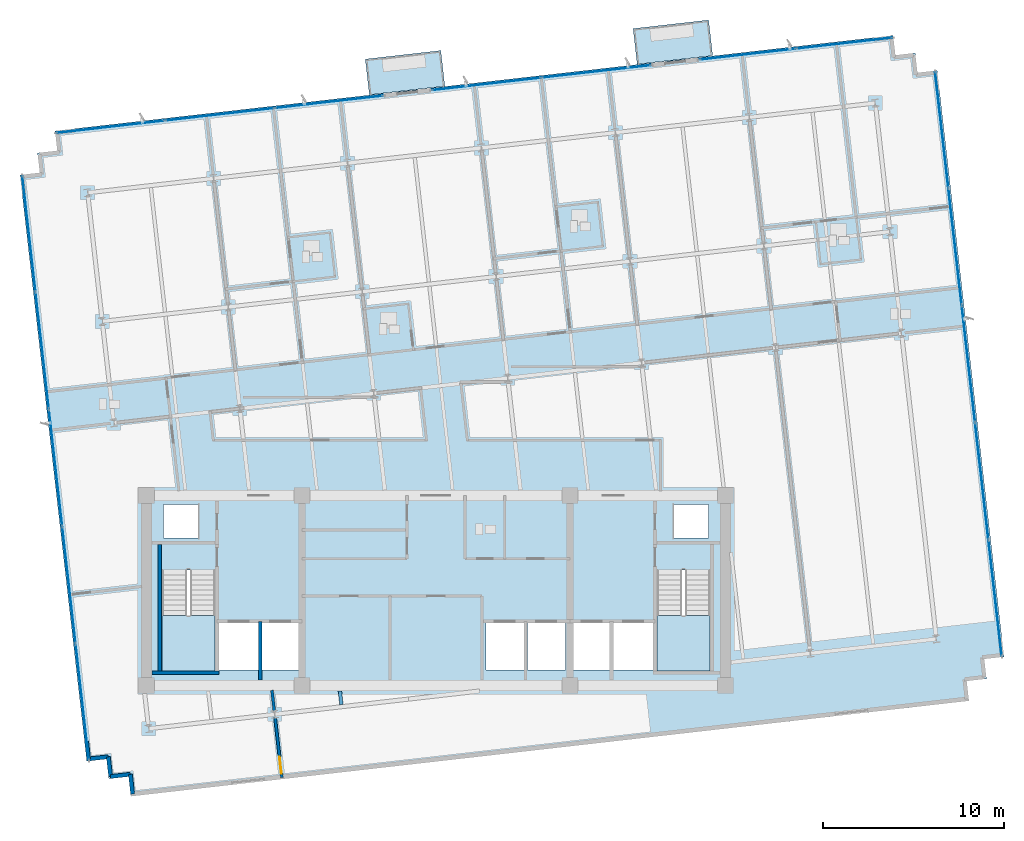
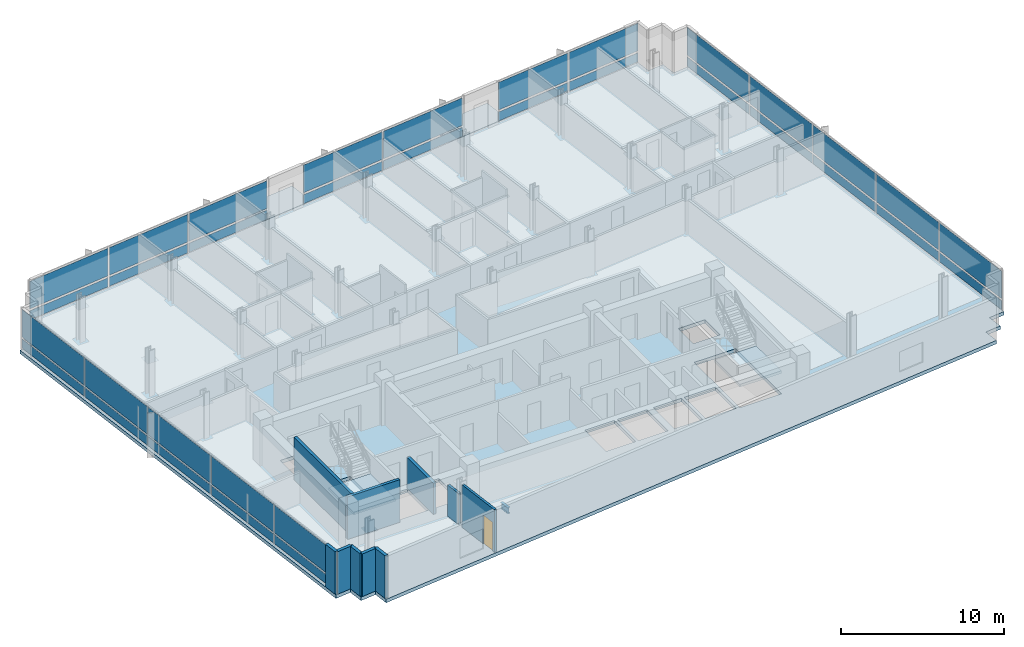
# One storey, part 7 of 16: 34 plates, 10 walls, 5 slabs, 1 beam, 1 door, 1 opening, 7 elements without a shape of their own.
"""IFC4 building model written with IfcOpenShell, lengths in metres."""

from ifc_helpers import new_model, si_unit, direction, frame, frame_2d, origin, origin_2d, place, context, subcontext, project, spatial, polyline, rectangle, i_section, outline, extrude, material, layer, layer_set, material_profile, profile_set, type_object, element, fill, aggregate, save


model = new_model("IFC4")

# Units and contexts
model_context = context("Model", 3, precision=1e-05, world=origin(), true_north=direction((0.0, 1.0)))
body_context = subcontext(model_context, "Body", "Model", "MODEL_VIEW")
ifc_project = project(units=[si_unit("LENGTHUNIT", "METRE"), si_unit("AREAUNIT", "SQUARE_METRE"), si_unit("VOLUMEUNIT", "CUBIC_METRE"), si_unit("PLANEANGLEUNIT", "RADIAN"), si_unit("MASSUNIT", "GRAM", prefix="KILO")], contexts=[model_context])

# Site, building, storey
site_placement = place(None, origin())
site = spatial("IfcSite", under=ifc_project, at=site_placement, CompositionType="ELEMENT")
building_placement = place(site_placement, origin())
building = spatial("IfcBuilding", under=site, at=building_placement, Name="Solmavex Isthmus Hotel", CompositionType="ELEMENT")
storey_placement = place(building_placement, frame((0.0, 0.0, 212.39990234375)))
storey = spatial("IfcBuildingStorey", under=building, at=storey_placement, Name="L57", CompositionType="ELEMENT", Elevation=212.39990234375)

# Beam
ifc_material_1 = material(Name="Steel ASTM A992 Grade 50", Category="steel")
ifc_material_profile = material_profile(ifc_material_1, i_section(OverallWidth=0.1904296875, OverallDepth=0.456787109375, WebThickness=0.009033203125, FlangeThickness=0.014404296875, FilletRadius=0.0126953125, at=origin_2d()), Name="W18X50")
ifc_profile_set = profile_set([ifc_material_profile], Name="Steel ASTM A992 Grade 50")
beam_type = type_object("IfcBeamType", Name="BM-BJ-W18X50", PredefinedType="JOIST", material=ifc_profile_set)
beam_placement = place(storey_placement, frame((-5.2236328125, -14.05419921875, -0.48828125), z_axis=(-0.112902470797, 0.993606074905, 0.0), x_axis=(-0.993606074905, -0.112902470797, 0.0)))
element("IfcBeam", 1, at=beam_placement, inside=storey, type_object=beam_type, Name="Secondary Floor Joist L57-J05", PredefinedType="JOIST", context=body_context, shape_type="SweptSolid", body=[
    extrude(i_section(OverallWidth=0.1904296875, OverallDepth=0.456787109375, WebThickness=0.009033203125, FlangeThickness=0.014404296875, FilletRadius=0.0126953125, at=origin_2d()), origin(), (0.0, 0.0, 1.0), 0.759033203125),
])

# Curtain wall, plates
ifc_material_2 = material(Name="Aluminium alloy 6063-T6", Category="aluminium")
curtain_wall_type = type_object("IfcCurtainWallType", Name="CW-SYS-04", PredefinedType="NOTDEFINED", material=ifc_material_2)
curtain_wall_1_placement = place(storey_placement, origin())
curtain_wall_1 = element("IfcCurtainWall", 2, at=curtain_wall_1_placement, inside=storey, type_object=curtain_wall_type, Name="Stick Curtain Wall CWL-L57-N1", PredefinedType="NOTDEFINED")
ifc_material_3 = material(Name="Clear low-E laminated glass", Category="glass")
ifc_layer_1 = layer(ifc_material_3, 0.033935546875)
ifc_layer_set_1 = layer_set([ifc_layer_1], Name="Clear low-E laminated glass")
plate_type = type_object("IfcPlateType", Name="CW-SYS-04-PNL", PredefinedType="CURTAIN_PANEL", material=ifc_layer_set_1)
plate_1_placement = place(storey_placement, frame((-17.985595703125, 17.87109375, 0.14990234375), z_axis=(0.0, 0.0, 1.0), x_axis=(0.993571885329, 0.113202953513, 0.0)))
plate_1 = element("IfcPlate", 3, at=plate_1_placement, type_object=plate_type, Name="CW-04 panel 1.1", PredefinedType="CURTAIN_PANEL", context=body_context, shape_type="SweptSolid", body=[
    extrude(rectangle(XDim=5.979736328125, YDim=0.033935546875, at=origin_2d()), origin(), (0.0, 0.0, 1.0), 0.675048828125),
])
plate_2_placement = place(storey_placement, frame((-17.985595703125, 17.87109375, 0.97509765625), z_axis=(0.0, 0.0, 1.0), x_axis=(0.993571885329, 0.113202953513, 0.0)))
plate_2 = element("IfcPlate", 4, at=plate_2_placement, type_object=plate_type, Name="CW-04 panel 1.2", PredefinedType="CURTAIN_PANEL", context=body_context, shape_type="SweptSolid", body=[
    extrude(rectangle(XDim=5.979736328125, YDim=0.033935546875, at=origin_2d()), origin(), (0.0, 0.0, 1.0), 2.06494140625),
])
plate_3_placement = place(storey_placement, frame((-11.951171875, 18.558837890625, 0.14990234375), z_axis=(0.0, 0.0, 1.0), x_axis=(0.993571885329, 0.113202953513, 0.0)))
plate_3 = element("IfcPlate", 5, at=plate_3_placement, type_object=plate_type, Name="CW-04 panel 2.1", PredefinedType="CURTAIN_PANEL", context=body_context, shape_type="SweptSolid", body=[
    extrude(rectangle(XDim=6.017333984375, YDim=0.033935546875, at=origin_2d()), origin(), (0.0, 0.0, 1.0), 0.675048828125),
])
plate_4_placement = place(storey_placement, frame((-11.951171875, 18.558837890625, 0.97509765625), z_axis=(0.0, 0.0, 1.0), x_axis=(0.993571885329, 0.113202953513, 0.0)))
plate_4 = element("IfcPlate", 6, at=plate_4_placement, type_object=plate_type, Name="CW-04 panel 2.2", PredefinedType="CURTAIN_PANEL", context=body_context, shape_type="SweptSolid", body=[
    extrude(rectangle(XDim=6.017333984375, YDim=0.033935546875, at=origin_2d()), origin(), (0.0, 0.0, 1.0), 2.06494140625),
])
plate_5_placement = place(storey_placement, frame((-5.91650390625, 19.246337890625, 0.14990234375), z_axis=(0.0, 0.0, 1.0), x_axis=(0.993571885329, 0.113202953513, 0.0)))
plate_5 = element("IfcPlate", 7, at=plate_5_placement, type_object=plate_type, Name="CW-04 panel 3.1", PredefinedType="CURTAIN_PANEL", context=body_context, shape_type="SweptSolid", body=[
    extrude(rectangle(XDim=5.979736328125, YDim=0.033935546875, at=origin_2d()), origin(), (0.0, 0.0, 1.0), 0.675048828125),
])
plate_6_placement = place(storey_placement, frame((-5.91650390625, 19.246337890625, 0.97509765625), z_axis=(0.0, 0.0, 1.0), x_axis=(0.993571885329, 0.113202953513, 0.0)))
plate_6 = element("IfcPlate", 8, at=plate_6_placement, type_object=plate_type, Name="CW-04 panel 3.2", PredefinedType="CURTAIN_PANEL", context=body_context, shape_type="SweptSolid", body=[
    extrude(rectangle(XDim=5.979736328125, YDim=0.033935546875, at=origin_2d()), origin(), (0.0, 0.0, 1.0), 2.06494140625),
])
aggregate(curtain_wall_1, [plate_1, plate_2, plate_3, plate_4, plate_5, plate_6])

curtain_wall_2_placement = place(storey_placement, origin())
curtain_wall_2 = element("IfcCurtainWall", 9, at=curtain_wall_2_placement, inside=storey, type_object=curtain_wall_type, Name="Stick Curtain Wall CWL-L57-N2", PredefinedType="NOTDEFINED")
plate_7_placement = place(storey_placement, frame((2.78369140625, 20.237548828125, 0.14990234375), z_axis=(0.0, 0.0, 1.0), x_axis=(0.993571896348, 0.113202856801, 0.0)))
plate_7 = element("IfcPlate", 10, at=plate_7_placement, type_object=plate_type, Name="CW-04 panel 1.1", PredefinedType="CURTAIN_PANEL", context=body_context, shape_type="SweptSolid", body=[
    extrude(rectangle(XDim=6.033447265625, YDim=0.033935546875, at=origin_2d()), origin(), (0.0, 0.0, 1.0), 0.675048828125),
])
plate_8_placement = place(storey_placement, frame((2.78369140625, 20.237548828125, 0.97509765625), z_axis=(0.0, 0.0, 1.0), x_axis=(0.993571896348, 0.113202856801, 0.0)))
plate_8 = element("IfcPlate", 11, at=plate_8_placement, type_object=plate_type, Name="CW-04 panel 1.2", PredefinedType="CURTAIN_PANEL", context=body_context, shape_type="SweptSolid", body=[
    extrude(rectangle(XDim=6.033447265625, YDim=0.033935546875, at=origin_2d()), origin(), (0.0, 0.0, 1.0), 2.06494140625),
])
plate_9_placement = place(storey_placement, frame((8.85302734375, 20.928955078125, 0.14990234375), z_axis=(0.0, 0.0, 1.0), x_axis=(0.993571896348, 0.113202856801, 0.0)))
plate_9 = element("IfcPlate", 12, at=plate_9_placement, type_object=plate_type, Name="CW-04 panel 2.1", PredefinedType="CURTAIN_PANEL", context=body_context, shape_type="SweptSolid", body=[
    extrude(rectangle(XDim=6.033447265625, YDim=0.033935546875, at=origin_2d()), origin(), (0.0, 0.0, 1.0), 0.675048828125),
])
plate_10_placement = place(storey_placement, frame((8.85302734375, 20.928955078125, 0.97509765625), z_axis=(0.0, 0.0, 1.0), x_axis=(0.993571896348, 0.113202856801, 0.0)))
plate_10 = element("IfcPlate", 13, at=plate_10_placement, type_object=plate_type, Name="CW-04 panel 2.2", PredefinedType="CURTAIN_PANEL", context=body_context, shape_type="SweptSolid", body=[
    extrude(rectangle(XDim=6.033447265625, YDim=0.033935546875, at=origin_2d()), origin(), (0.0, 0.0, 1.0), 2.06494140625),
])
aggregate(curtain_wall_2, [plate_7, plate_8, plate_9, plate_10])

curtain_wall_3_placement = place(storey_placement, origin())
curtain_wall_3 = element("IfcCurtainWall", 14, at=curtain_wall_3_placement, inside=storey, type_object=curtain_wall_type, Name="Stick Curtain Wall CWL-L57-N3", PredefinedType="NOTDEFINED")
plate_11_placement = place(storey_placement, frame((17.217041015625, 21.882080078125, 0.14990234375), z_axis=(0.0, 0.0, 1.0), x_axis=(0.993571797279, 0.113203726319, 0.0)))
plate_11 = element("IfcPlate", 15, at=plate_11_placement, type_object=plate_type, Name="CW-04 panel 1.1", PredefinedType="CURTAIN_PANEL", context=body_context, shape_type="SweptSolid", body=[
    extrude(rectangle(XDim=5.302978515625, YDim=0.033935546875, at=origin_2d()), origin(), (0.0, 0.0, 1.0), 0.675048828125),
])
plate_12_placement = place(storey_placement, frame((17.217041015625, 21.882080078125, 0.97509765625), z_axis=(0.0, 0.0, 1.0), x_axis=(0.993571797279, 0.113203726319, 0.0)))
plate_12 = element("IfcPlate", 16, at=plate_12_placement, type_object=plate_type, Name="CW-04 panel 1.2", PredefinedType="CURTAIN_PANEL", context=body_context, shape_type="SweptSolid", body=[
    extrude(rectangle(XDim=5.302978515625, YDim=0.033935546875, at=origin_2d()), origin(), (0.0, 0.0, 1.0), 2.06494140625),
])
plate_13_placement = place(storey_placement, frame((22.560546875, 22.49072265625, 0.14990234375), z_axis=(0.0, 0.0, 1.0), x_axis=(0.993571797279, 0.113203726319, 0.0)))
plate_13 = element("IfcPlate", 17, at=plate_13_placement, type_object=plate_type, Name="CW-04 panel 2.1", PredefinedType="CURTAIN_PANEL", context=body_context, shape_type="SweptSolid", body=[
    extrude(rectangle(XDim=5.302978515625, YDim=0.033935546875, at=origin_2d()), origin(), (0.0, 0.0, 1.0), 0.675048828125),
])
plate_14_placement = place(storey_placement, frame((22.560546875, 22.49072265625, 0.97509765625), z_axis=(0.0, 0.0, 1.0), x_axis=(0.993571797279, 0.113203726319, 0.0)))
plate_14 = element("IfcPlate", 18, at=plate_14_placement, type_object=plate_type, Name="CW-04 panel 2.2", PredefinedType="CURTAIN_PANEL", context=body_context, shape_type="SweptSolid", body=[
    extrude(rectangle(XDim=5.302978515625, YDim=0.033935546875, at=origin_2d()), origin(), (0.0, 0.0, 1.0), 2.06494140625),
])
aggregate(curtain_wall_3, [plate_11, plate_12, plate_13, plate_14])

curtain_wall_4_placement = place(storey_placement, origin())
curtain_wall_4 = element("IfcCurtainWall", 19, at=curtain_wall_4_placement, inside=storey, type_object=curtain_wall_type, Name="Stick Curtain Wall CWL-L57-W1", PredefinedType="NOTDEFINED")
plate_15_placement = place(storey_placement, frame((-19.542724609375, -13.91064453125, 0.14990234375), z_axis=(0.0, 0.0, 1.0), x_axis=(-0.11320338078, 0.993571836648, 0.0)))
plate_15 = element("IfcPlate", 20, at=plate_15_placement, type_object=plate_type, Name="CW-04 panel 1.1", PredefinedType="CURTAIN_PANEL", context=body_context, shape_type="SweptSolid", body=[
    extrude(rectangle(XDim=6.407470703125, YDim=0.033935546875, at=origin_2d()), origin(), (0.0, 0.0, 1.0), 0.675048828125),
])
plate_16_placement = place(storey_placement, frame((-19.542724609375, -13.91064453125, 0.97509765625), z_axis=(0.0, 0.0, 1.0), x_axis=(-0.11320338078, 0.993571836648, 0.0)))
plate_16 = element("IfcPlate", 21, at=plate_16_placement, type_object=plate_type, Name="CW-04 panel 1.2", PredefinedType="CURTAIN_PANEL", context=body_context, shape_type="SweptSolid", body=[
    extrude(rectangle(XDim=6.407470703125, YDim=0.033935546875, at=origin_2d()), origin(), (0.0, 0.0, 1.0), 2.06494140625),
])
plate_17_placement = place(storey_placement, frame((-20.27880859375, -7.451171875, 0.14990234375), z_axis=(0.0, 0.0, 1.0), x_axis=(-0.11320338078, 0.993571836648, 0.0)))
plate_17 = element("IfcPlate", 22, at=plate_17_placement, type_object=plate_type, Name="CW-04 panel 2.1", PredefinedType="CURTAIN_PANEL", context=body_context, shape_type="SweptSolid", body=[
    extrude(rectangle(XDim=6.445068359375, YDim=0.033935546875, at=origin_2d()), origin(), (0.0, 0.0, 1.0), 0.675048828125),
])
plate_18_placement = place(storey_placement, frame((-20.27880859375, -7.451171875, 0.97509765625), z_axis=(0.0, 0.0, 1.0), x_axis=(-0.11320338078, 0.993571836648, 0.0)))
plate_18 = element("IfcPlate", 23, at=plate_18_placement, type_object=plate_type, Name="CW-04 panel 2.2", PredefinedType="CURTAIN_PANEL", context=body_context, shape_type="SweptSolid", body=[
    extrude(rectangle(XDim=6.445068359375, YDim=0.033935546875, at=origin_2d()), origin(), (0.0, 0.0, 1.0), 2.06494140625),
])
plate_19_placement = place(storey_placement, frame((-21.016845703125, -0.97314453125, 0.14990234375), z_axis=(0.0, 0.0, 1.0), x_axis=(-0.11320338078, 0.993571836648, 0.0)))
plate_19 = element("IfcPlate", 24, at=plate_19_placement, type_object=plate_type, Name="CW-04 panel 3.1", PredefinedType="CURTAIN_PANEL", context=body_context, shape_type="SweptSolid", body=[
    extrude(rectangle(XDim=6.445068359375, YDim=0.033935546875, at=origin_2d()), origin(), (0.0, 0.0, 1.0), 0.675048828125),
])
plate_20_placement = place(storey_placement, frame((-21.016845703125, -0.97314453125, 0.97509765625), z_axis=(0.0, 0.0, 1.0), x_axis=(-0.11320338078, 0.993571836648, 0.0)))
plate_20 = element("IfcPlate", 25, at=plate_20_placement, type_object=plate_type, Name="CW-04 panel 3.2", PredefinedType="CURTAIN_PANEL", context=body_context, shape_type="SweptSolid", body=[
    extrude(rectangle(XDim=6.445068359375, YDim=0.033935546875, at=origin_2d()), origin(), (0.0, 0.0, 1.0), 2.06494140625),
])
plate_21_placement = place(storey_placement, frame((-21.7548828125, 5.5048828125, 0.14990234375), z_axis=(0.0, 0.0, 1.0), x_axis=(-0.11320338078, 0.993571836648, 0.0)))
plate_21 = element("IfcPlate", 26, at=plate_21_placement, type_object=plate_type, Name="CW-04 panel 4.1", PredefinedType="CURTAIN_PANEL", context=body_context, shape_type="SweptSolid", body=[
    extrude(rectangle(XDim=6.445068359375, YDim=0.033935546875, at=origin_2d()), origin(), (0.0, 0.0, 1.0), 0.675048828125),
])
plate_22_placement = place(storey_placement, frame((-21.7548828125, 5.5048828125, 0.97509765625), z_axis=(0.0, 0.0, 1.0), x_axis=(-0.11320338078, 0.993571836648, 0.0)))
plate_22 = element("IfcPlate", 27, at=plate_22_placement, type_object=plate_type, Name="CW-04 panel 4.2", PredefinedType="CURTAIN_PANEL", context=body_context, shape_type="SweptSolid", body=[
    extrude(rectangle(XDim=6.445068359375, YDim=0.033935546875, at=origin_2d()), origin(), (0.0, 0.0, 1.0), 2.06494140625),
])
plate_23_placement = place(storey_placement, frame((-22.490966796875, 11.96435546875, 0.14990234375), z_axis=(0.0, 0.0, 1.0), x_axis=(-0.11320338078, 0.993571836648, 0.0)))
plate_23 = element("IfcPlate", 28, at=plate_23_placement, type_object=plate_type, Name="CW-04 panel 5.1", PredefinedType="CURTAIN_PANEL", context=body_context, shape_type="SweptSolid", body=[
    extrude(rectangle(XDim=6.407470703125, YDim=0.033935546875, at=origin_2d()), origin(), (0.0, 0.0, 1.0), 0.675048828125),
])
plate_24_placement = place(storey_placement, frame((-22.490966796875, 11.96435546875, 0.97509765625), z_axis=(0.0, 0.0, 1.0), x_axis=(-0.11320338078, 0.993571836648, 0.0)))
plate_24 = element("IfcPlate", 29, at=plate_24_placement, type_object=plate_type, Name="CW-04 panel 5.2", PredefinedType="CURTAIN_PANEL", context=body_context, shape_type="SweptSolid", body=[
    extrude(rectangle(XDim=6.407470703125, YDim=0.033935546875, at=origin_2d()), origin(), (0.0, 0.0, 1.0), 2.06494140625),
])
aggregate(curtain_wall_4, [plate_15, plate_16, plate_17, plate_18, plate_19, plate_20, plate_21, plate_22, plate_23, plate_24])

curtain_wall_5_placement = place(storey_placement, origin())
curtain_wall_5 = element("IfcCurtainWall", 30, at=curtain_wall_5_placement, inside=storey, type_object=curtain_wall_type, Name="Stick Curtain Wall CWL-L57-E1", PredefinedType="NOTDEFINED")
plate_25_placement = place(storey_placement, frame((30.890869140625, -8.16455078125, 0.14990234375), z_axis=(0.0, 0.0, 1.0), x_axis=(-0.11320338078, 0.993571836648, 0.0)))
plate_25 = element("IfcPlate", 31, at=plate_25_placement, type_object=plate_type, Name="CW-04 panel 1.1", PredefinedType="CURTAIN_PANEL", context=body_context, shape_type="SweptSolid", body=[
    extrude(rectangle(XDim=6.407470703125, YDim=0.033935546875, at=origin_2d()), origin(), (0.0, 0.0, 1.0), 0.675048828125),
])
plate_26_placement = place(storey_placement, frame((30.890869140625, -8.16455078125, 0.97509765625), z_axis=(0.0, 0.0, 1.0), x_axis=(-0.11320338078, 0.993571836648, 0.0)))
plate_26 = element("IfcPlate", 32, at=plate_26_placement, type_object=plate_type, Name="CW-04 panel 1.2", PredefinedType="CURTAIN_PANEL", context=body_context, shape_type="SweptSolid", body=[
    extrude(rectangle(XDim=6.407470703125, YDim=0.033935546875, at=origin_2d()), origin(), (0.0, 0.0, 1.0), 2.06494140625),
])
plate_27_placement = place(storey_placement, frame((30.155029296875, -1.705078125, 0.14990234375), z_axis=(0.0, 0.0, 1.0), x_axis=(-0.11320338078, 0.993571836648, 0.0)))
plate_27 = element("IfcPlate", 33, at=plate_27_placement, type_object=plate_type, Name="CW-04 panel 2.1", PredefinedType="CURTAIN_PANEL", context=body_context, shape_type="SweptSolid", body=[
    extrude(rectangle(XDim=6.445068359375, YDim=0.033935546875, at=origin_2d()), origin(), (0.0, 0.0, 1.0), 0.675048828125),
])
plate_28_placement = place(storey_placement, frame((30.155029296875, -1.705078125, 0.97509765625), z_axis=(0.0, 0.0, 1.0), x_axis=(-0.11320338078, 0.993571836648, 0.0)))
plate_28 = element("IfcPlate", 34, at=plate_28_placement, type_object=plate_type, Name="CW-04 panel 2.2", PredefinedType="CURTAIN_PANEL", context=body_context, shape_type="SweptSolid", body=[
    extrude(rectangle(XDim=6.445068359375, YDim=0.033935546875, at=origin_2d()), origin(), (0.0, 0.0, 1.0), 2.06494140625),
])
plate_29_placement = place(storey_placement, frame((29.416748046875, 4.773193359375, 0.14990234375), z_axis=(0.0, 0.0, 1.0), x_axis=(-0.11320338078, 0.993571836648, 0.0)))
plate_29 = element("IfcPlate", 35, at=plate_29_placement, type_object=plate_type, Name="CW-04 panel 3.1", PredefinedType="CURTAIN_PANEL", context=body_context, shape_type="SweptSolid", body=[
    extrude(rectangle(XDim=6.445068359375, YDim=0.033935546875, at=origin_2d()), origin(), (0.0, 0.0, 1.0), 0.675048828125),
])
plate_30_placement = place(storey_placement, frame((29.416748046875, 4.773193359375, 0.97509765625), z_axis=(0.0, 0.0, 1.0), x_axis=(-0.11320338078, 0.993571836648, 0.0)))
plate_30 = element("IfcPlate", 36, at=plate_30_placement, type_object=plate_type, Name="CW-04 panel 3.2", PredefinedType="CURTAIN_PANEL", context=body_context, shape_type="SweptSolid", body=[
    extrude(rectangle(XDim=6.445068359375, YDim=0.033935546875, at=origin_2d()), origin(), (0.0, 0.0, 1.0), 2.06494140625),
])
plate_31_placement = place(storey_placement, frame((28.6787109375, 11.251220703125, 0.14990234375), z_axis=(0.0, 0.0, 1.0), x_axis=(-0.11320338078, 0.993571836648, 0.0)))
plate_31 = element("IfcPlate", 37, at=plate_31_placement, type_object=plate_type, Name="CW-04 panel 4.1", PredefinedType="CURTAIN_PANEL", context=body_context, shape_type="SweptSolid", body=[
    extrude(rectangle(XDim=6.445068359375, YDim=0.033935546875, at=origin_2d()), origin(), (0.0, 0.0, 1.0), 0.675048828125),
])
plate_32_placement = place(storey_placement, frame((28.6787109375, 11.251220703125, 0.97509765625), z_axis=(0.0, 0.0, 1.0), x_axis=(-0.11320338078, 0.993571836648, 0.0)))
plate_32 = element("IfcPlate", 38, at=plate_32_placement, type_object=plate_type, Name="CW-04 panel 4.2", PredefinedType="CURTAIN_PANEL", context=body_context, shape_type="SweptSolid", body=[
    extrude(rectangle(XDim=6.445068359375, YDim=0.033935546875, at=origin_2d()), origin(), (0.0, 0.0, 1.0), 2.06494140625),
])
plate_33_placement = place(storey_placement, frame((27.94287109375, 17.710693359375, 0.14990234375), z_axis=(0.0, 0.0, 1.0), x_axis=(-0.11320338078, 0.993571836648, 0.0)))
plate_33 = element("IfcPlate", 39, at=plate_33_placement, type_object=plate_type, Name="CW-04 panel 5.1", PredefinedType="CURTAIN_PANEL", context=body_context, shape_type="SweptSolid", body=[
    extrude(rectangle(XDim=6.407470703125, YDim=0.033935546875, at=origin_2d()), origin(), (0.0, 0.0, 1.0), 0.675048828125),
])
plate_34_placement = place(storey_placement, frame((27.94287109375, 17.710693359375, 0.97509765625), z_axis=(0.0, 0.0, 1.0), x_axis=(-0.11320338078, 0.993571836648, 0.0)))
plate_34 = element("IfcPlate", 40, at=plate_34_placement, type_object=plate_type, Name="CW-04 panel 5.2", PredefinedType="CURTAIN_PANEL", context=body_context, shape_type="SweptSolid", body=[
    extrude(rectangle(XDim=6.407470703125, YDim=0.033935546875, at=origin_2d()), origin(), (0.0, 0.0, 1.0), 2.06494140625),
])
aggregate(curtain_wall_5, [plate_25, plate_26, plate_27, plate_28, plate_29, plate_30, plate_31, plate_32, plate_33, plate_34])

# Slabs
ifc_material_4 = material(Name="Concrete C40/50", Category="concrete")
ifc_layer_2 = layer(ifc_material_4, 0.239990234375)
ifc_layer_set_2 = layer_set([ifc_layer_2], Name="Concrete C40/50")
slab_type_1 = type_object("IfcSlabType", Name="SLAB-BALC-240", PredefinedType="FLOOR", material=ifc_layer_set_2)
slab_1_placement = place(storey_placement, frame((0.0, 0.0, -0.239990234375)))
element("IfcSlab", 41, at=slab_1_placement, inside=storey, type_object=slab_type_1, Name="Tree-Planter Balcony Slab L57-B1", PredefinedType="FLOOR", context=body_context, shape_type="SweptSolid", body=[
    extrude(outline(polyline([(-3.681640625, 19.63671875), (0.491455078125, 20.1123046875), (0.266845703125, 22.08447265625), (-3.90625, 21.609130859375), (-3.681640625, 19.63671875)])), origin(), (0.0, 0.0, 1.0), 0.239990234375),
])
slab_2_placement = place(storey_placement, frame((0.0, 0.0, -0.239990234375)))
element("IfcSlab", 42, at=slab_2_placement, inside=storey, type_object=slab_type_1, Name="Tree-Planter Balcony Slab L57-B2", PredefinedType="FLOOR", context=body_context, shape_type="SweptSolid", body=[
    extrude(outline(polyline([(11.11474609375, 21.322509765625), (15.287841796875, 21.798095703125), (15.06298828125, 23.770263671875), (10.89013671875, 23.294921875), (11.11474609375, 21.322509765625)])), origin(), (0.0, 0.0, 1.0), 0.239990234375),
])
ifc_layer_3 = layer(ifc_material_4, 0.260009765625)
ifc_layer_set_3 = layer_set([ifc_layer_3], Name="Concrete C40/50")
slab_type_2 = type_object("IfcSlabType", Name="SLAB-TYP-260", PredefinedType="FLOOR", material=ifc_layer_set_3)
slab_3_placement = place(storey_placement, frame((0.0, 0.0, -0.260009765625)))
element("IfcSlab", 43, at=slab_3_placement, inside=storey, type_object=slab_type_2, Name="Tower Structural Floor Slab L57", PredefinedType="FLOOR", context=body_context, shape_type="SweptSolid", body=[
    extrude(outline(polyline([(-15.762939453125, -18.994140625), (28.3515625, -13.968017578125), (29.444580078125, -13.843505859375), (29.320068359375, -12.75048828125), (30.412841796875, -12.6259765625), (30.288330078125, -11.532958984375), (31.38134765625, -11.408447265625), (31.2568359375, -10.315673828125), (27.8154296875, 19.888916015625), (27.69091796875, 20.98193359375), (26.597900390625, 20.857421875), (26.473388671875, 21.9501953125), (25.38037109375, 21.82568359375), (25.255859375, 22.918701171875), (24.1630859375, 22.794189453125), (-19.95166015625, 17.76806640625), (-21.04443359375, 17.6435546875), (-20.919921875, 16.550537109375), (-22.012939453125, 16.426025390625), (-21.888427734375, 15.3330078125), (-22.981201171875, 15.20849609375), (-22.856689453125, 14.11572265625), (-19.415283203125, -16.0888671875), (-19.290771484375, -17.181884765625), (-18.197998046875, -17.057373046875), (-18.073486328125, -18.150390625), (-16.98046875, -18.02587890625), (-16.85595703125, -19.11865234375), (-15.762939453125, -18.994140625)]), holes=[polyline([(-15.14990234375, -6.617919921875), (-15.14990234375, -12.199951171875), (-12.199951171875, -12.199951171875), (-12.199951171875, -6.617919921875), (-15.14990234375, -6.617919921875)]), polyline([(12.199951171875, -6.617919921875), (12.199951171875, -12.199951171875), (15.14990234375, -12.199951171875), (15.14990234375, -6.617919921875), (12.199951171875, -6.617919921875)]), polyline([(-12.0, -12.14990234375), (-9.800048828125, -12.14990234375), (-9.800048828125, -9.550048828125), (-12.0, -9.550048828125), (-12.0, -12.14990234375)]), polyline([(9.800048828125, -12.14990234375), (12.0, -12.14990234375), (12.0, -9.550048828125), (9.800048828125, -9.550048828125), (9.800048828125, -12.14990234375)]), polyline([(-9.60009765625, -12.14990234375), (-7.60009765625, -12.14990234375), (-7.60009765625, -9.550048828125), (-9.60009765625, -9.550048828125), (-9.60009765625, -12.14990234375)]), polyline([(7.60009765625, -12.14990234375), (9.60009765625, -12.14990234375), (9.60009765625, -9.550048828125), (7.60009765625, -9.550048828125), (7.60009765625, -12.14990234375)]), polyline([(2.75, -12.14990234375), (4.85009765625, -12.14990234375), (4.85009765625, -9.550048828125), (2.75, -9.550048828125), (2.75, -12.14990234375)]), polyline([(5.050048828125, -12.14990234375), (7.14990234375, -12.14990234375), (7.14990234375, -9.550048828125), (5.050048828125, -9.550048828125), (5.050048828125, -12.14990234375)]), polyline([(-15.050048828125, -4.85009765625), (-13.14990234375, -4.85009765625), (-13.14990234375, -3.0), (-15.050048828125, -3.0), (-15.050048828125, -4.85009765625)]), polyline([(13.14990234375, -4.85009765625), (15.050048828125, -4.85009765625), (15.050048828125, -3.0), (13.14990234375, -3.0), (13.14990234375, -4.85009765625)])]), origin(), (0.0, 0.0, 1.0), 0.260009765625),
])

# Stair, slab
stair_type_1 = type_object("IfcStairType", Name="STR-ST-1", PredefinedType="HALF_TURN_STAIR", material=ifc_material_4)
stair_1_placement = place(storey_placement, origin())
stair_1 = element("IfcStair", 44, at=stair_1_placement, inside=storey, type_object=stair_type_1, Name="L57 Protected Exit Stair ST-1", PredefinedType="HALF_TURN_STAIR")
ifc_layer_4 = layer(ifc_material_4, 0.219970703125)
ifc_layer_set_4 = layer_set([ifc_layer_4], Name="Concrete C40/50")
slab_type_3 = type_object("IfcSlabType", Name="SLD-ST-1", PredefinedType="LANDING", material=ifc_layer_set_4)
slab_4_placement = place(storey_placement, frame((0.0, 0.0, 1.525146484375)))
slab_4 = element("IfcSlab", 45, at=slab_4_placement, type_object=slab_type_3, Name="ST-1 landing 1", PredefinedType="LANDING", context=body_context, shape_type="SweptSolid", body=[
    extrude(outline(polyline([(-15.14990234375, -9.1201171875), (-15.14990234375, -12.199951171875), (-12.199951171875, -12.199951171875), (-12.199951171875, -9.1201171875), (-15.14990234375, -9.1201171875)])), origin(), (0.0, 0.0, 1.0), 0.199951171875),
])
aggregate(stair_1, [slab_4])

stair_type_2 = type_object("IfcStairType", Name="STR-ST-2", PredefinedType="HALF_TURN_STAIR", material=ifc_material_4)
stair_2_placement = place(storey_placement, origin())
stair_2 = element("IfcStair", 46, at=stair_2_placement, inside=storey, type_object=stair_type_2, Name="L57 Protected Exit Stair ST-2", PredefinedType="HALF_TURN_STAIR")
ifc_layer_5 = layer(ifc_material_4, 0.219970703125)
ifc_layer_set_5 = layer_set([ifc_layer_5], Name="Concrete C40/50")
slab_type_4 = type_object("IfcSlabType", Name="SLD-ST-2", PredefinedType="LANDING", material=ifc_layer_set_5)
slab_5_placement = place(storey_placement, frame((0.0, 0.0, 1.525146484375)))
slab_5 = element("IfcSlab", 47, at=slab_5_placement, type_object=slab_type_4, Name="ST-2 landing 1", PredefinedType="LANDING", context=body_context, shape_type="SweptSolid", body=[
    extrude(outline(polyline([(12.199951171875, -9.1201171875), (12.199951171875, -12.199951171875), (15.14990234375, -12.199951171875), (15.14990234375, -9.1201171875), (12.199951171875, -9.1201171875)])), origin(), (0.0, 0.0, 1.0), 0.199951171875),
])
aggregate(stair_2, [slab_5])

# Walls
ifc_material_5 = material(Name="Precast Concrete C40/50", Category="concrete")
ifc_layer_6 = layer(ifc_material_5, 0.25)
ifc_layer_set_6 = layer_set([ifc_layer_6], Name="Precast Concrete C40/50")
wall_type_1 = type_object("IfcWallType", Name="EW-TWR-250", PredefinedType="STANDARD", material=ifc_layer_set_6)
for number, where, z_axis, x_axis, name in (
    (48, (-16.759033203125, -18.9970703125, 0.0), (0.0, 0.0, 1.0), (-0.113183557839, 0.99357409499, 0.0), "Serrated Corner Facade Panel L57-01"),
    (49, (-16.883544921875, -17.904052734375, 0.0), (0.0, 0.0, 1.0), (-0.99357409499, -0.113183557839, 0.0), "Serrated Corner Facade Panel L57-02"),
    (50, (-17.9765625, -18.028564453125, 0.0), (0.0, 0.0, 1.0), (-0.113183557839, 0.99357409499, 0.0), "Serrated Corner Facade Panel L57-03"),
    (51, (-18.10107421875, -16.935546875, 0.0), (0.0, 0.0, 1.0), (-0.99357409499, -0.113183557839, 0.0), "Serrated Corner Facade Panel L57-04"),
):
    element("IfcWall", number, at=place(storey_placement, frame(where, z_axis=z_axis, x_axis=x_axis)), inside=storey, type_object=wall_type_1, Name=name, PredefinedType="STANDARD", context=body_context, shape_type="SweptSolid", body=[
        extrude(rectangle(XDim=1.10009765625, YDim=0.219970703125, at=frame_2d((0.550048828125, 0.0))), origin(), (0.0, 0.0, 1.0), 3.190185546875),
    ])
wall_1_placement = place(storey_placement, frame((-19.194091796875, -17.06005859375, 0.0), z_axis=(0.0, 0.0, 1.0), x_axis=(-0.113191877531, 0.993573147212, 0.0)))
element("IfcWall", 52, at=wall_1_placement, inside=storey, type_object=wall_type_1, Name="Serrated Corner Facade Panel L57-05", PredefinedType="STANDARD", context=body_context, shape_type="SweptSolid", body=[
    extrude(rectangle(XDim=0.989990234375, YDim=0.219970703125, at=frame_2d((0.4951171875, 0.0))), origin(), (0.0, 0.0, 1.0), 3.190185546875),
])
ifc_material_6 = material(Name="Gypsum plasterboard lining", Category="gypsum")
ifc_layer_7 = layer(ifc_material_6, 0.159912109375)
ifc_layer_set_7 = layer_set([ifc_layer_7], Name="Gypsum plasterboard lining")
wall_type_2 = type_object("IfcWallType", Name="IW-COMP-160", PredefinedType="PARTITIONING", material=ifc_layer_set_7)
wall_2_placement = place(storey_placement, frame((-9.06103515625, -13.26025390625, 0.0), z_axis=(0.0, 0.0, 1.0), x_axis=(0.113244385981, -0.993567163831, 0.0)))
element("IfcWall", 53, at=wall_2_placement, inside=storey, type_object=wall_type_2, Name="Interior Partition Wall W-L57-P071", PredefinedType="PARTITIONING", context=body_context, shape_type="SweptSolid", body=[
    extrude(rectangle(XDim=1.162109375, YDim=0.159912109375, at=frame_2d((0.5810546875, 0.0))), origin(), (0.0, 0.0, 1.0), 2.3251953125),
])

# Wall, opening, door
wall_3_placement = place(storey_placement, frame((-8.8896484375, -14.765380859375, 0.0), z_axis=(0.0, 0.0, 1.0), x_axis=(0.113252098743, -0.993566284719, 0.0)))
wall_3 = element("IfcWall", 54, at=wall_3_placement, inside=storey, type_object=wall_type_2, Name="Interior Partition Wall W-L57-P072", PredefinedType="PARTITIONING", context=body_context, shape_type="SweptSolid", body=[
    extrude(rectangle(XDim=3.343505859375, YDim=0.159912109375, at=frame_2d((1.671875, 0.0))), origin(), (0.0, 0.0, 1.0), 3.190185546875),
])
opening_placement = place(wall_3_placement, frame((2.18359375, 0.0, 0.0)))
opening = element("IfcOpeningElement", 55, at=opening_placement, cuts=wall_3, Name="Opening ID-C095", PredefinedType="OPENING", context=body_context, shape_type="SweptSolid", body=[
    extrude(rectangle(XDim=0.949951171875, YDim=2.14990234375, at=frame_2d((0.47509765625, 1.074951171875))), frame((0.0, 0.08984375, 0.0), z_axis=(0.0, -1.0, 0.0), x_axis=(1.0, 0.0, 0.0)), (0.0, 0.0, 1.0), 0.179931640625),
])
ifc_material_7 = material(Name="Hardwood timber", Category="wood")
door_type = type_object("IfcDoorType", Name="IDR-FD60-0950", OperationType="NOTDEFINED", PredefinedType="DOOR", material=ifc_material_7)
door_placement = place(opening_placement, frame((0.949951171875, 0.0, 0.0), z_axis=(0.0, 0.0, 1.0), x_axis=(-1.0, 0.0, 0.0)))
door = element("IfcDoor", 56, at=door_placement, inside=storey, type_object=door_type, Name="Corporate Briefing Office Door L57-22", OperationType="SINGLE_SWING_RIGHT", OverallHeight=2.14990234375, OverallWidth=0.949951171875, PredefinedType="DOOR", context=body_context, shape_type="SweptSolid", body=[
    extrude(rectangle(XDim=0.949951171875, YDim=2.14990234375, at=frame_2d((0.47509765625, 1.074951171875))), frame((0.0, 0.02490234375, 0.0), z_axis=(0.0, -1.0, 0.0), x_axis=(1.0, 0.0, 0.0)), (0.0, 0.0, 1.0), 0.050048828125),
])
fill(opening, door)

# Walls
ifc_layer_8 = layer(ifc_material_4, 0.199951171875)
ifc_layer_set_8 = layer_set([ifc_layer_8], Name="Concrete C40/50")
wall_type_3 = type_object("IfcWallType", Name="IW-SHAFT-200", PredefinedType="PARTITIONING", material=ifc_layer_set_8)
wall_4_placement = place(storey_placement, frame((-9.699951171875, -12.699951171875, 0.0), z_axis=(0.0, 0.0, 1.0), x_axis=(0.0, 1.0, 0.0)))
element("IfcWall", 57, at=wall_4_placement, inside=storey, type_object=wall_type_3, Name="Interior Partition Wall W-L57-FFLW-M", PredefinedType="PARTITIONING", context=body_context, shape_type="SweptSolid", body=[
    extrude(rectangle(XDim=3.25, YDim=0.199951171875, at=frame_2d((1.625, 0.0))), origin(), (0.0, 0.0, 1.0), 2.3251953125),
])
ifc_layer_9 = layer(ifc_material_4, 0.199951171875)
ifc_layer_set_9 = layer_set([ifc_layer_9], Name="Concrete C40/50")
wall_type_4 = type_object("IfcWallType", Name="WALL-SW-200", PredefinedType="SOLIDWALL", material=ifc_layer_set_9)
wall_5_placement = place(storey_placement, frame((-15.699951171875, -12.300048828125, 0.0), z_axis=(0.0, 0.0, 1.0), x_axis=(1.0, 0.0, 0.0)))
element("IfcWall", 58, at=wall_5_placement, inside=storey, type_object=wall_type_4, Name="Stairwell Structural Wall SW-L57-ST1-S", PredefinedType="SOLIDWALL", context=body_context, shape_type="SweptSolid", body=[
    extrude(rectangle(XDim=3.699951171875, YDim=0.199951171875, at=frame_2d((1.85009765625, 0.0))), origin(), (0.0, 0.0, 1.0), 3.190185546875),
])
wall_6_placement = place(storey_placement, frame((-15.25, -12.199951171875, 0.0), z_axis=(0.0, 0.0, 1.0), x_axis=(0.0, 1.0, 0.0)))
element("IfcWall", 59, at=wall_6_placement, inside=storey, type_object=wall_type_4, Name="Stairwell Structural Wall SW-L57-ST1-W", PredefinedType="SOLIDWALL", context=body_context, shape_type="SweptSolid", body=[
    extrude(rectangle(XDim=7.0, YDim=0.199951171875, at=frame_2d((3.5, 0.0))), origin(), (0.0, 0.0, 1.0), 3.190185546875),
])

save(model, "model.ifc")
